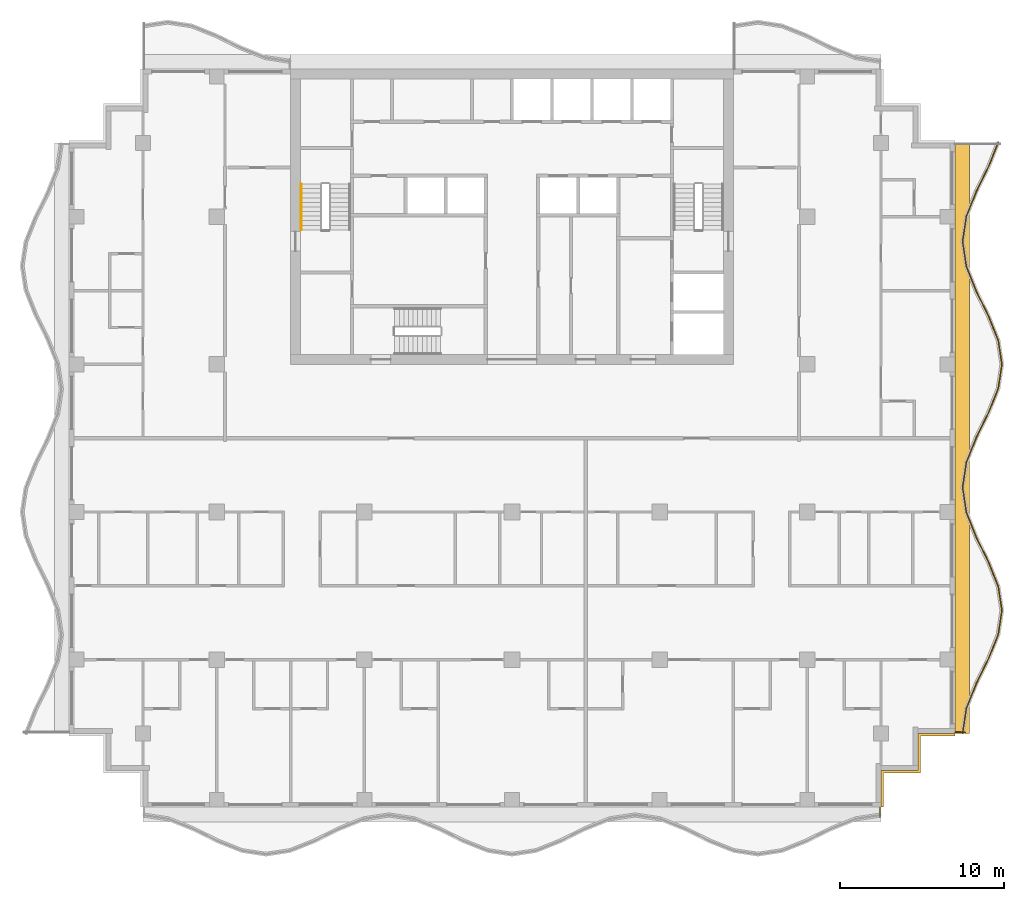
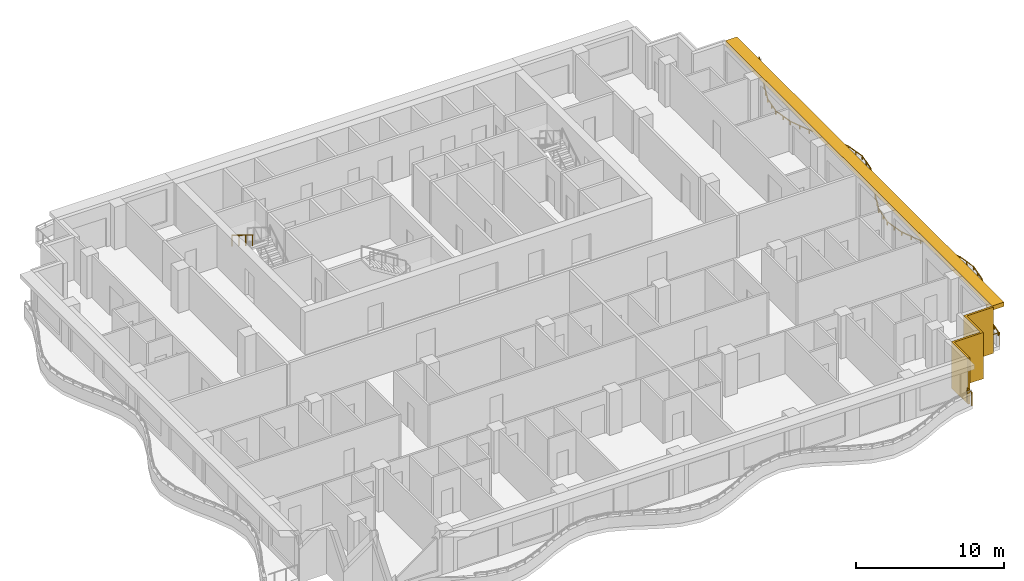
# One storey, part 10 of 12: 4 railings, 2 shading devices.
"""IFC4 building model written with IfcOpenShell, lengths in metres."""

from ifc_helpers import new_model, si_unit, direction, frame, origin, origin_2d, place, context, subcontext, project, spatial, polyline, rectangle, circle, outline, extrude, material, layer, layer_set, type_object, element, save


model = new_model("IFC4")

# Units and contexts
model_context = context("Model", 3, precision=1e-05, world=origin(), true_north=direction((0.0, 1.0)))
body_context = subcontext(model_context, "Body", "Model", "MODEL_VIEW")
ifc_project = project(units=[si_unit("LENGTHUNIT", "METRE"), si_unit("AREAUNIT", "SQUARE_METRE"), si_unit("VOLUMEUNIT", "CUBIC_METRE"), si_unit("PLANEANGLEUNIT", "RADIAN"), si_unit("MASSUNIT", "GRAM", prefix="KILO")], contexts=[model_context])

# Site, building, storey
site_placement = place(None, origin())
site = spatial("IfcSite", under=ifc_project, at=site_placement, CompositionType="ELEMENT")
building_placement = place(site_placement, origin())
building = spatial("IfcBuilding", under=site, at=building_placement, Name="Orbiselva Terraces", CompositionType="ELEMENT")
storey_placement = place(building_placement, frame((0.0, 0.0, 265.4)))
storey = spatial("IfcBuildingStorey", under=building, at=storey_placement, Name="L67", CompositionType="ELEMENT", Elevation=265.4)

# Railings
ifc_material_1 = material(Name="Stainless steel", Category="steel")
railing_type_1 = type_object("IfcRailingType", Name="CORE-HANDRAIL-900", PredefinedType="HANDRAIL", material=ifc_material_1)
railing_1_placement = place(storey_placement, frame((-12.85, 15.5, 2.072727)))
element("IfcRailing", 1, at=railing_1_placement, inside=storey, type_object=railing_type_1, Name="L67 S1 stair handrail 2", PredefinedType="HANDRAIL", context=body_context, shape_type="SweptSolid", body=[
    extrude(circle(Radius=0.024, at=origin_2d()), frame((0.0, 0.0, 0.876), z_axis=(0.0, -0.851088519012, 0.52502222125), x_axis=(1.0, 0.0, 0.0)), (0.0, 0.0, 1.0), 3.289905),
    extrude(circle(Radius=0.021, at=origin_2d()), origin(), (0.0, 0.0, 1.0), 0.852),
    extrude(circle(Radius=0.021, at=origin_2d()), frame((0.0, -0.933333, 0.575758)), (0.0, 0.0, 1.0), 0.852),
    extrude(circle(Radius=0.021, at=origin_2d()), frame((0.0, -1.866667, 1.151515)), (0.0, 0.0, 1.0), 0.852),
    extrude(circle(Radius=0.021, at=origin_2d()), frame((0.0, -2.8, 1.727273)), (0.0, 0.0, 1.0), 0.852),
])
ifc_material_2 = material(Name="Bonded two-ply safety glass balustrade, stainless steel posts", Category="steel")
railing_type_2 = type_object("IfcRailingType", Name="ENV-BALUSTRADE-1200", PredefinedType="BALUSTRADE", material=ifc_material_2)
railing_2_placement = place(storey_placement, frame((27.476434, -17.981121, 0.9)))
element("IfcRailing", 2, at=railing_2_placement, inside=storey, type_object=railing_type_2, Name="Balcony balustrade L67 E", PredefinedType="BALUSTRADE", context=body_context, shape_type="SweptSolid", body=[
    extrude(outline(polyline([(0.028868, 0.0), (0.014434, 0.025), (-0.014434, 0.025), (-0.028868, 0.0), (-0.014434, -0.025), (0.014434, -0.025), (0.028868, 0.0)])), frame((0.0, 0.0, 0.275), z_axis=(0.151033869252, 0.988528588529, 0.0), x_axis=(-0.988528588529, 0.151033869252, 0.0)), (0.0, 0.0, 1.0), 1.531776),
    extrude(outline(polyline([(0.028868, 0.0), (0.014434, 0.025), (-0.014434, 0.025), (-0.028868, 0.0), (-0.014434, -0.025), (0.014434, -0.025), (0.028868, 0.0)])), frame((0.23135, 1.514204, 0.275), z_axis=(0.371390359967, 0.92847681744, 0.0), x_axis=(-0.92847681744, 0.371390359967, 0.0)), (0.0, 0.0, 1.0), 1.634838),
    extrude(outline(polyline([(0.028868, 0.0), (0.014434, 0.025), (-0.014434, 0.025), (-0.028868, 0.0), (-0.014434, -0.025), (0.014434, -0.025), (0.028868, 0.0)])), frame((0.838513, 3.032113, 0.275), z_axis=(0.443212307306, 0.896416672454, 0.0), x_axis=(-0.896416672454, 0.443212307306, 0.0)), (0.0, 0.0, 1.0), 1.673329),
    extrude(outline(polyline([(0.028868, 0.0), (0.014434, 0.025), (-0.014434, 0.025), (-0.028868, 0.0), (-0.014434, -0.025), (0.014434, -0.025), (0.028868, 0.0)])), frame((1.580153, 4.532113, 0.275), z_axis=(0.371391000387, 0.928476561272, 0.0), x_axis=(-0.928476561272, 0.371391000387, 0.0)), (0.0, 0.0, 1.0), 1.596261),
    extrude(outline(polyline([(0.028868, 0.0), (0.014434, 0.025), (-0.014434, 0.025), (-0.028868, 0.0), (-0.014434, -0.025), (0.014434, -0.025), (0.028868, 0.0)])), frame((2.17299, 6.014204, 0.275), z_axis=(0.151033749027, 0.988528606898, 0.0), x_axis=(-0.988528606898, 0.151033749027, 0.0)), (0.0, 0.0, 1.0), 1.48394),
    extrude(outline(polyline([(0.028868, 0.0), (0.014434, 0.025), (-0.014434, 0.025), (-0.028868, 0.0), (-0.014434, -0.025), (0.014434, -0.025), (0.028868, 0.0)])), frame((2.397115, 7.481121, 0.275), z_axis=(-0.151033749027, 0.988528606898, 0.0), x_axis=(-0.988528606898, -0.151033749027, 0.0)), (0.0, 0.0, 1.0), 1.48394),
    extrude(outline(polyline([(0.028868, 0.0), (0.014434, 0.025), (-0.014434, 0.025), (-0.028868, 0.0), (-0.014434, -0.025), (0.014434, -0.025), (0.028868, 0.0)])), frame((2.17299, 8.948038, 0.275), z_axis=(-0.371391000387, 0.928476561272, 0.0), x_axis=(-0.928476561272, -0.371391000387, 0.0)), (0.0, 0.0, 1.0), 1.596261),
    extrude(outline(polyline([(0.028868, 0.0), (0.014434, 0.025), (-0.014434, 0.025), (-0.028868, 0.0), (-0.014434, -0.025), (0.014434, -0.025), (0.028868, 0.0)])), frame((1.580153, 10.430129, 0.275), z_axis=(-0.443212307306, 0.896416672454, 0.0), x_axis=(-0.896416672454, -0.443212307306, 0.0)), (0.0, 0.0, 1.0), 1.673329),
    extrude(outline(polyline([(0.028868, 0.0), (0.014434, 0.025), (-0.014434, 0.025), (-0.028868, 0.0), (-0.014434, -0.025), (0.014434, -0.025), (0.028868, 0.0)])), frame((0.838513, 11.930129, 0.275), z_axis=(-0.371390359967, 0.92847681744, 0.0), x_axis=(-0.92847681744, -0.371390359967, 0.0)), (0.0, 0.0, 1.0), 1.634838),
    extrude(outline(polyline([(0.028868, 0.0), (0.014434, 0.025), (-0.014434, 0.025), (-0.028868, 0.0), (-0.014434, -0.025), (0.014434, -0.025), (0.028868, 0.0)])), frame((0.23135, 13.448038, 0.275), z_axis=(-0.151034211256, 0.988528536275, 0.0), x_axis=(-0.988528536275, -0.151034211256, 0.0)), (0.0, 0.0, 1.0), 1.550874),
    extrude(outline(polyline([(0.028868, 0.0), (0.014434, 0.025), (-0.014434, 0.025), (-0.028868, 0.0), (-0.014434, -0.025), (0.014434, -0.025), (0.028868, 0.0)])), frame((-0.002885, 14.981121, 0.275), z_axis=(0.151034211256, 0.988528536275, 0.0), x_axis=(-0.988528536275, 0.151034211256, 0.0)), (0.0, 0.0, 1.0), 1.550874),
    extrude(outline(polyline([(0.028868, 0.0), (0.014434, 0.025), (-0.014434, 0.025), (-0.028868, 0.0), (-0.014434, -0.025), (0.014434, -0.025), (0.028868, 0.0)])), frame((0.23135, 16.514204, 0.275), z_axis=(0.371390359967, 0.92847681744, 0.0), x_axis=(-0.92847681744, 0.371390359967, 0.0)), (0.0, 0.0, 1.0), 1.634838),
    extrude(outline(polyline([(0.028868, 0.0), (0.014434, 0.025), (-0.014434, 0.025), (-0.028868, 0.0), (-0.014434, -0.025), (0.014434, -0.025), (0.028868, 0.0)])), frame((0.838513, 18.032113, 0.275), z_axis=(0.443212307306, 0.896416672454, 0.0), x_axis=(-0.896416672454, 0.443212307306, 0.0)), (0.0, 0.0, 1.0), 1.673329),
    extrude(outline(polyline([(0.028868, 0.0), (0.014434, 0.025), (-0.014434, 0.025), (-0.028868, 0.0), (-0.014434, -0.025), (0.014434, -0.025), (0.028868, 0.0)])), frame((1.580153, 19.532113, 0.275), z_axis=(0.371391000387, 0.928476561272, 0.0), x_axis=(-0.928476561272, 0.371391000387, 0.0)), (0.0, 0.0, 1.0), 1.596261),
    extrude(outline(polyline([(0.028868, 0.0), (0.014434, 0.025), (-0.014434, 0.025), (-0.028868, 0.0), (-0.014434, -0.025), (0.014434, -0.025), (0.028868, 0.0)])), frame((2.17299, 21.014204, 0.275), z_axis=(0.151033749027, 0.988528606898, 0.0), x_axis=(-0.988528606898, 0.151033749027, 0.0)), (0.0, 0.0, 1.0), 1.48394),
    extrude(outline(polyline([(0.028868, 0.0), (0.014434, 0.025), (-0.014434, 0.025), (-0.028868, 0.0), (-0.014434, -0.025), (0.014434, -0.025), (0.028868, 0.0)])), frame((2.397115, 22.481121, 0.275), z_axis=(-0.151033749027, 0.988528606898, 0.0), x_axis=(-0.988528606898, -0.151033749027, 0.0)), (0.0, 0.0, 1.0), 1.48394),
    extrude(outline(polyline([(0.028868, 0.0), (0.014434, 0.025), (-0.014434, 0.025), (-0.028868, 0.0), (-0.014434, -0.025), (0.014434, -0.025), (0.028868, 0.0)])), frame((2.17299, 23.948038, 0.275), z_axis=(-0.371391000387, 0.928476561272, 0.0), x_axis=(-0.928476561272, -0.371391000387, 0.0)), (0.0, 0.0, 1.0), 1.596261),
    extrude(outline(polyline([(0.028868, 0.0), (0.014434, 0.025), (-0.014434, 0.025), (-0.028868, 0.0), (-0.014434, -0.025), (0.014434, -0.025), (0.028868, 0.0)])), frame((1.580153, 25.430129, 0.275), z_axis=(-0.443212307306, 0.896416672454, 0.0), x_axis=(-0.896416672454, -0.443212307306, 0.0)), (0.0, 0.0, 1.0), 1.673329),
    extrude(outline(polyline([(0.028868, 0.0), (0.014434, 0.025), (-0.014434, 0.025), (-0.028868, 0.0), (-0.014434, -0.025), (0.014434, -0.025), (0.028868, 0.0)])), frame((0.838513, 26.930129, 0.275), z_axis=(-0.371390359967, 0.92847681744, 0.0), x_axis=(-0.92847681744, -0.371390359967, 0.0)), (0.0, 0.0, 1.0), 1.634838),
    extrude(outline(polyline([(0.028868, 0.0), (0.014434, 0.025), (-0.014434, 0.025), (-0.028868, 0.0), (-0.014434, -0.025), (0.014434, -0.025), (0.028868, 0.0)])), frame((0.23135, 28.448038, 0.275), z_axis=(-0.151034211256, 0.988528536275, 0.0), x_axis=(-0.988528536275, -0.151034211256, 0.0)), (0.0, 0.0, 1.0), 1.550874),
    extrude(outline(polyline([(0.028868, 0.0), (0.014434, 0.025), (-0.014434, 0.025), (-0.028868, 0.0), (-0.014434, -0.025), (0.014434, -0.025), (0.028868, 0.0)])), frame((-0.002885, 29.981121, 0.275), z_axis=(0.151034211256, 0.988528536275, 0.0), x_axis=(-0.988528536275, 0.151034211256, 0.0)), (0.0, 0.0, 1.0), 1.550874),
    extrude(outline(polyline([(0.028868, 0.0), (0.014434, 0.025), (-0.014434, 0.025), (-0.028868, 0.0), (-0.014434, -0.025), (0.014434, -0.025), (0.028868, 0.0)])), frame((0.23135, 31.514204, 0.275), z_axis=(0.371390359967, 0.92847681744, 0.0), x_axis=(-0.92847681744, 0.371390359967, 0.0)), (0.0, 0.0, 1.0), 1.634838),
    extrude(outline(polyline([(0.028868, 0.0), (0.014434, 0.025), (-0.014434, 0.025), (-0.028868, 0.0), (-0.014434, -0.025), (0.014434, -0.025), (0.028868, 0.0)])), frame((0.838513, 33.032113, 0.275), z_axis=(0.443212307306, 0.896416672454, 0.0), x_axis=(-0.896416672454, 0.443212307306, 0.0)), (0.0, 0.0, 1.0), 1.673329),
    extrude(outline(polyline([(0.028868, 0.0), (0.014434, 0.025), (-0.014434, 0.025), (-0.028868, 0.0), (-0.014434, -0.025), (0.014434, -0.025), (0.028868, 0.0)])), frame((1.580153, 34.532113, 0.275), z_axis=(0.371390783402, 0.928476648066, 0.0), x_axis=(-0.928476648066, 0.371390783402, 0.0)), (0.0, 0.0, 1.0), 1.61063),
    extrude(rectangle(XDim=0.05, YDim=0.05, at=origin_2d()), origin(), (0.0, 0.0, 1.0), 0.25),
    extrude(rectangle(XDim=0.05, YDim=0.05, at=origin_2d()), frame((0.115675, 0.757102, 0.0)), (0.0, 0.0, 1.0), 0.25),
    extrude(rectangle(XDim=0.05, YDim=0.05, at=origin_2d()), frame((0.23135, 1.514204, 0.0)), (0.0, 0.0, 1.0), 0.25),
    extrude(rectangle(XDim=0.05, YDim=0.05, at=origin_2d()), frame((0.534931, 2.273159, 0.0)), (0.0, 0.0, 1.0), 0.25),
    extrude(rectangle(XDim=0.05, YDim=0.05, at=origin_2d()), frame((0.838513, 3.032113, 0.0)), (0.0, 0.0, 1.0), 0.25),
    extrude(rectangle(XDim=0.05, YDim=0.05, at=origin_2d()), frame((1.209333, 3.782113, 0.0)), (0.0, 0.0, 1.0), 0.25),
    extrude(rectangle(XDim=0.05, YDim=0.05, at=origin_2d()), frame((1.580153, 4.532113, 0.0)), (0.0, 0.0, 1.0), 0.25),
    extrude(rectangle(XDim=0.05, YDim=0.05, at=origin_2d()), frame((1.876571, 5.273159, 0.0)), (0.0, 0.0, 1.0), 0.25),
    extrude(rectangle(XDim=0.05, YDim=0.05, at=origin_2d()), frame((2.17299, 6.014204, 0.0)), (0.0, 0.0, 1.0), 0.25),
    extrude(rectangle(XDim=0.05, YDim=0.05, at=origin_2d()), frame((2.285052, 6.747663, 0.0)), (0.0, 0.0, 1.0), 0.25),
    extrude(rectangle(XDim=0.05, YDim=0.05, at=origin_2d()), frame((2.397115, 7.481121, 0.0)), (0.0, 0.0, 1.0), 0.25),
    extrude(rectangle(XDim=0.05, YDim=0.05, at=origin_2d()), frame((2.285052, 8.21458, 0.0)), (0.0, 0.0, 1.0), 0.25),
    extrude(rectangle(XDim=0.05, YDim=0.05, at=origin_2d()), frame((2.17299, 8.948038, 0.0)), (0.0, 0.0, 1.0), 0.25),
    extrude(rectangle(XDim=0.05, YDim=0.05, at=origin_2d()), frame((1.876571, 9.689084, 0.0)), (0.0, 0.0, 1.0), 0.25),
    extrude(rectangle(XDim=0.05, YDim=0.05, at=origin_2d()), frame((1.580153, 10.430129, 0.0)), (0.0, 0.0, 1.0), 0.25),
    extrude(rectangle(XDim=0.05, YDim=0.05, at=origin_2d()), frame((1.209333, 11.180129, 0.0)), (0.0, 0.0, 1.0), 0.25),
    extrude(rectangle(XDim=0.05, YDim=0.05, at=origin_2d()), frame((0.838513, 11.930129, 0.0)), (0.0, 0.0, 1.0), 0.25),
    extrude(rectangle(XDim=0.05, YDim=0.05, at=origin_2d()), frame((0.534931, 12.689084, 0.0)), (0.0, 0.0, 1.0), 0.25),
    extrude(rectangle(XDim=0.05, YDim=0.05, at=origin_2d()), frame((0.23135, 13.448038, 0.0)), (0.0, 0.0, 1.0), 0.25),
    extrude(rectangle(XDim=0.05, YDim=0.05, at=origin_2d()), frame((0.114232, 14.21458, 0.0)), (0.0, 0.0, 1.0), 0.25),
    extrude(rectangle(XDim=0.05, YDim=0.05, at=origin_2d()), frame((-0.002885, 14.981121, 0.0)), (0.0, 0.0, 1.0), 0.25),
    extrude(rectangle(XDim=0.05, YDim=0.05, at=origin_2d()), frame((0.114232, 15.747663, 0.0)), (0.0, 0.0, 1.0), 0.25),
    extrude(rectangle(XDim=0.05, YDim=0.05, at=origin_2d()), frame((0.23135, 16.514204, 0.0)), (0.0, 0.0, 1.0), 0.25),
    extrude(rectangle(XDim=0.05, YDim=0.05, at=origin_2d()), frame((0.534931, 17.273158, 0.0)), (0.0, 0.0, 1.0), 0.25),
    extrude(rectangle(XDim=0.05, YDim=0.05, at=origin_2d()), frame((0.838513, 18.032113, 0.0)), (0.0, 0.0, 1.0), 0.25),
    extrude(rectangle(XDim=0.05, YDim=0.05, at=origin_2d()), frame((1.209333, 18.782113, 0.0)), (0.0, 0.0, 1.0), 0.25),
    extrude(rectangle(XDim=0.05, YDim=0.05, at=origin_2d()), frame((1.580153, 19.532113, 0.0)), (0.0, 0.0, 1.0), 0.25),
    extrude(rectangle(XDim=0.05, YDim=0.05, at=origin_2d()), frame((1.876571, 20.273158, 0.0)), (0.0, 0.0, 1.0), 0.25),
    extrude(rectangle(XDim=0.05, YDim=0.05, at=origin_2d()), frame((2.17299, 21.014204, 0.0)), (0.0, 0.0, 1.0), 0.25),
    extrude(rectangle(XDim=0.05, YDim=0.05, at=origin_2d()), frame((2.285052, 21.747663, 0.0)), (0.0, 0.0, 1.0), 0.25),
    extrude(rectangle(XDim=0.05, YDim=0.05, at=origin_2d()), frame((2.397115, 22.481121, 0.0)), (0.0, 0.0, 1.0), 0.25),
    extrude(rectangle(XDim=0.05, YDim=0.05, at=origin_2d()), frame((2.285052, 23.21458, 0.0)), (0.0, 0.0, 1.0), 0.25),
    extrude(rectangle(XDim=0.05, YDim=0.05, at=origin_2d()), frame((2.17299, 23.948038, 0.0)), (0.0, 0.0, 1.0), 0.25),
    extrude(rectangle(XDim=0.05, YDim=0.05, at=origin_2d()), frame((1.876571, 24.689084, 0.0)), (0.0, 0.0, 1.0), 0.25),
    extrude(rectangle(XDim=0.05, YDim=0.05, at=origin_2d()), frame((1.580153, 25.430129, 0.0)), (0.0, 0.0, 1.0), 0.25),
    extrude(rectangle(XDim=0.05, YDim=0.05, at=origin_2d()), frame((1.209333, 26.180129, 0.0)), (0.0, 0.0, 1.0), 0.25),
    extrude(rectangle(XDim=0.05, YDim=0.05, at=origin_2d()), frame((0.838513, 26.930129, 0.0)), (0.0, 0.0, 1.0), 0.25),
    extrude(rectangle(XDim=0.05, YDim=0.05, at=origin_2d()), frame((0.534931, 27.689084, 0.0)), (0.0, 0.0, 1.0), 0.25),
    extrude(rectangle(XDim=0.05, YDim=0.05, at=origin_2d()), frame((0.23135, 28.448038, 0.0)), (0.0, 0.0, 1.0), 0.25),
    extrude(rectangle(XDim=0.05, YDim=0.05, at=origin_2d()), frame((0.114232, 29.21458, 0.0)), (0.0, 0.0, 1.0), 0.25),
    extrude(rectangle(XDim=0.05, YDim=0.05, at=origin_2d()), frame((-0.002885, 29.981121, 0.0)), (0.0, 0.0, 1.0), 0.25),
    extrude(rectangle(XDim=0.05, YDim=0.05, at=origin_2d()), frame((0.114232, 30.747662, 0.0)), (0.0, 0.0, 1.0), 0.25),
    extrude(rectangle(XDim=0.05, YDim=0.05, at=origin_2d()), frame((0.23135, 31.514204, 0.0)), (0.0, 0.0, 1.0), 0.25),
    extrude(rectangle(XDim=0.05, YDim=0.05, at=origin_2d()), frame((0.534931, 32.273158, 0.0)), (0.0, 0.0, 1.0), 0.25),
    extrude(rectangle(XDim=0.05, YDim=0.05, at=origin_2d()), frame((0.838513, 33.032113, 0.0)), (0.0, 0.0, 1.0), 0.25),
    extrude(rectangle(XDim=0.05, YDim=0.05, at=origin_2d()), frame((1.209333, 33.782113, 0.0)), (0.0, 0.0, 1.0), 0.25),
    extrude(rectangle(XDim=0.05, YDim=0.05, at=origin_2d()), frame((1.580153, 34.532113, 0.0)), (0.0, 0.0, 1.0), 0.25),
    extrude(rectangle(XDim=0.05, YDim=0.05, at=origin_2d()), frame((1.879239, 35.279829, 0.0)), (0.0, 0.0, 1.0), 0.25),
    extrude(rectangle(XDim=0.05, YDim=0.05, at=origin_2d()), frame((2.178326, 36.027545, 0.0)), (0.0, 0.0, 1.0), 0.25),
])
ifc_material_3 = material(Name="Stainless steel rail and posts", Category="steel")
railing_type_3 = type_object("IfcRailingType", Name="ENV-GUARD-1105", PredefinedType="BALUSTRADE", material=ifc_material_3)
railing_3_placement = place(storey_placement, frame((22.44, -23.100379, 0.0)))
element("IfcRailing", 3, at=railing_3_placement, inside=storey, type_object=railing_type_3, Name="Balcony end guard L67 S", PredefinedType="BALUSTRADE", context=body_context, shape_type="SweptSolid", body=[
    extrude(outline(polyline([(0.028868, 0.0), (0.014434, 0.025), (-0.014434, 0.025), (-0.028868, 0.0), (-0.014434, -0.025), (0.014434, -0.025), (0.028868, 0.0)])), frame((0.0, 0.0, 1.08), z_axis=(0.0, 1.0, 0.0), x_axis=(-1.0, 0.0, 0.0)), (0.0, 0.0, 1.0), 0.575379),
    extrude(rectangle(XDim=0.05, YDim=0.05, at=origin_2d()), origin(), (0.0, 0.0, 1.0), 1.055),
    extrude(rectangle(XDim=0.05, YDim=0.05, at=origin_2d()), frame((0.0, 0.575379, 0.0)), (0.0, 0.0, 1.0), 1.055),
])
railing_4_placement = place(storey_placement, frame((27.600379, -17.94, 0.0)))
element("IfcRailing", 4, at=railing_4_placement, inside=storey, type_object=railing_type_3, Name="Balcony end guard L67 E", PredefinedType="BALUSTRADE", context=body_context, shape_type="SweptSolid", body=[
    extrude(outline(polyline([(0.028868, 0.0), (0.014434, 0.025), (-0.014434, 0.025), (-0.028868, 0.0), (-0.014434, -0.025), (0.014434, -0.025), (0.028868, 0.0)])), frame((0.0, 0.0, 1.08), z_axis=(-1.0, 0.0, 0.0), x_axis=(0.0, -1.0, 0.0)), (0.0, 0.0, 1.0), 0.575379),
    extrude(rectangle(XDim=0.05, YDim=0.05, at=origin_2d()), origin(), (0.0, 0.0, 1.0), 1.055),
    extrude(rectangle(XDim=0.05, YDim=0.05, at=origin_2d()), frame((-0.575379, 0.0, 0.0)), (0.0, 0.0, 1.0), 1.055),
])

# Shading devices
ifc_material_4 = material(Name="Terracotta louvre screen", Category="masonry")
ifc_layer_1 = layer(ifc_material_4, 0.15)
ifc_layer_set_1 = layer_set([ifc_layer_1], Name="Terracotta louvre screen")
shading_device_type_1 = type_object("IfcShadingDeviceType", Name="ENV-SCREEN-150", PredefinedType="USERDEFINED", material=ifc_layer_set_1)
shading_device_1_placement = place(storey_placement, frame((0.0, 0.0, -0.3)))
element("IfcShadingDevice", 5, at=shading_device_1_placement, inside=storey, type_object=shading_device_type_1, Name="Louvre screen L67 SE", ObjectType="SCREEN", PredefinedType="USERDEFINED", context=body_context, shape_type="SweptSolid", body=[
    extrude(outline(polyline([(22.65, -22.5), (22.65, -20.4), (24.9, -20.4), (24.9, -18.15), (27.0, -18.15), (27.0, -18.0), (24.75, -18.0), (24.75, -20.25), (22.5, -20.25), (22.5, -22.5), (22.65, -22.5)])), origin(), (0.0, 0.0, 1.0), 3.8),
])
ifc_material_5 = material(Name="Terracotta baguette sunshade", Category="masonry")
ifc_layer_2 = layer(ifc_material_5, 0.35)
ifc_layer_set_2 = layer_set([ifc_layer_2], Name="Terracotta baguette sunshade")
shading_device_type_2 = type_object("IfcShadingDeviceType", Name="ENV-SUNSHADE-900x350", PredefinedType="USERDEFINED", material=ifc_layer_set_2)
shading_device_2_placement = place(storey_placement, frame((0.0, 0.0, 3.15)))
element("IfcShadingDevice", 6, at=shading_device_2_placement, inside=storey, type_object=shading_device_type_2, Name="Sunshade band L67 E", ObjectType="SUNSHADE", PredefinedType="USERDEFINED", context=body_context, shape_type="SweptSolid", body=[
    extrude(outline(polyline([(27.9, -18.0), (27.9, 18.0), (27.0, 18.0), (27.0, -18.0), (27.9, -18.0)])), origin(), (0.0, 0.0, 1.0), 0.35),
])

save(model, "model.ifc")
